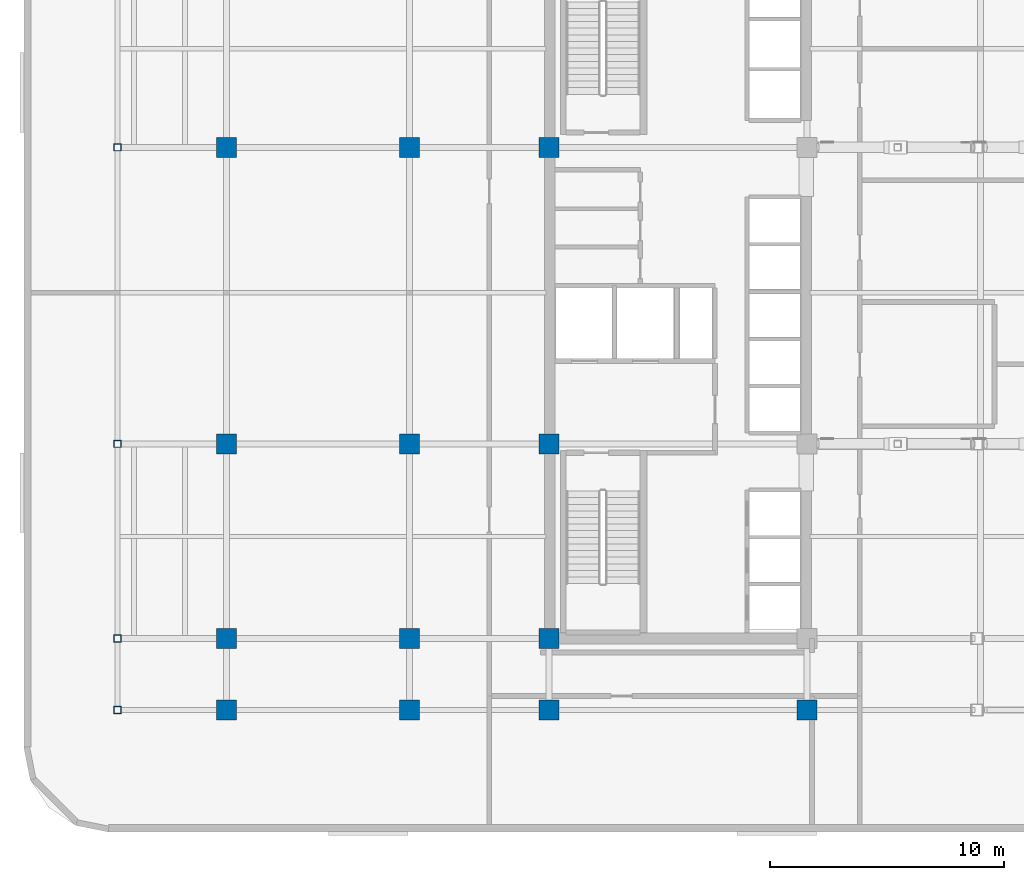
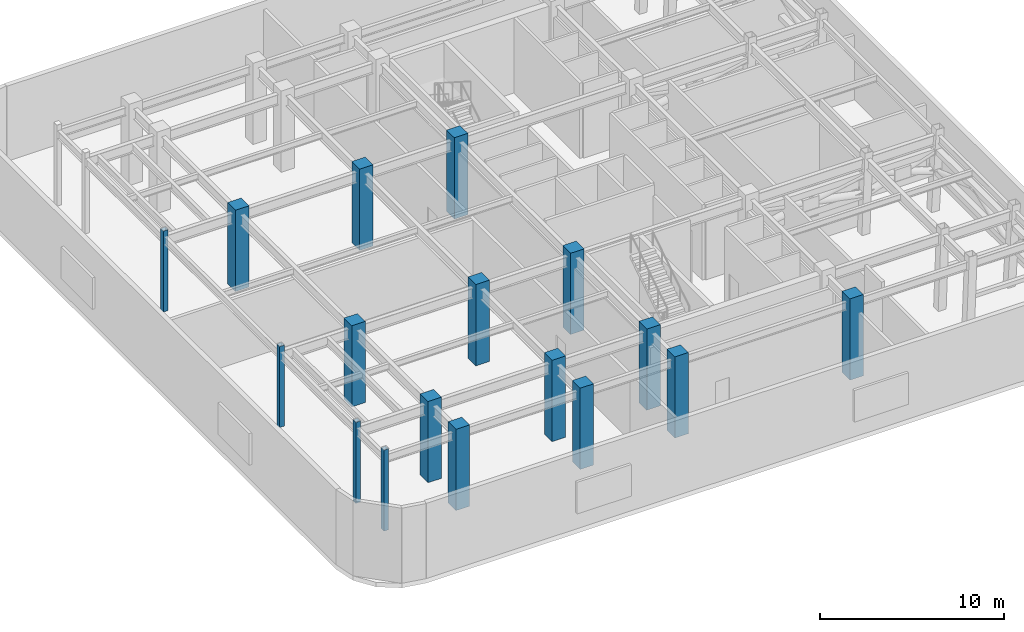
# One storey, part 1 of 14: 17 columns.
"""IFC4 building model written with IfcOpenShell, lengths in metres."""

from ifc_helpers import new_model, si_unit, direction, frame, origin, origin_2d, place, context, subcontext, project, spatial, rectangle, hollow_rectangle, extrude, material, material_profile, profile_set, type_object, element, save


model = new_model("IFC4")

# Units and contexts
model_context = context("Model", 3, precision=1e-05, world=origin(), true_north=direction((0.0, 1.0)))
body_context = subcontext(model_context, "Body", "Model", "MODEL_VIEW")
ifc_project = project(units=[si_unit("LENGTHUNIT", "METRE"), si_unit("AREAUNIT", "SQUARE_METRE"), si_unit("VOLUMEUNIT", "CUBIC_METRE"), si_unit("PLANEANGLEUNIT", "RADIAN"), si_unit("MASSUNIT", "GRAM", prefix="KILO")], contexts=[model_context])

# Site, building, storey
site_placement = place(None, origin())
site = spatial("IfcSite", under=ifc_project, at=site_placement, CompositionType="ELEMENT")
building_placement = place(site_placement, origin())
building = spatial("IfcBuilding", under=site, at=building_placement, Name="Ochreholt Gables", CompositionType="ELEMENT")
storey_placement = place(building_placement, frame((0.0, 0.0, 71.39990234375)))
storey = spatial("IfcBuildingStorey", under=building, at=storey_placement, Name="L18", CompositionType="ELEMENT", Elevation=71.39990234375)

# Columns
ifc_material_1 = material(Name="Steel CSA G40.21 350W", Category="steel")
ifc_material_profile_1 = material_profile(ifc_material_1, hollow_rectangle(XDim=0.304931640625, YDim=0.304931640625, WallThickness=0.0126953125, at=origin_2d()), Name="HSS305X305X13")
ifc_profile_set_1 = profile_set([ifc_material_profile_1], Name="Steel CSA G40.21 350W")
column_type_1 = type_object("IfcColumnType", Name="COL-HSS305-EXT", PredefinedType="COLUMN", material=ifc_profile_set_1)
for number, where, z_axis, x_axis, name in (
    (1, (5.800048828125, 6.199951171875, 0.0), (0.0, 0.0, 1.0), (1.0, 0.0, 0.0), "L18 Column WTY1"),
    (2, (5.800048828125, 9.25, 0.0), (0.0, 0.0, 1.0), (1.0, 0.0, 0.0), "L18 Column WTY2"),
    (3, (5.800048828125, 17.550048828125, 0.0), (0.0, 0.0, 1.0), (1.0, 0.0, 0.0), "L18 Column WTY3"),
    (4, (5.800048828125, 30.199951171875, 0.0), (0.0, 0.0, 1.0), (1.0, 0.0, 0.0), "L18 Column WTY4"),
):
    element("IfcColumn", number, at=place(storey_placement, frame(where, z_axis=z_axis, x_axis=x_axis)), inside=storey, type_object=column_type_1, Name=name, PredefinedType="COLUMN", context=body_context, shape_type="SweptSolid", body=[
        extrude(hollow_rectangle(XDim=0.304931640625, YDim=0.304931640625, WallThickness=0.0126953125, at=origin_2d()), origin(), (0.0, 0.0, 1.0), 5.375),
    ])
ifc_material_2 = material(Name="Concrete 60 MPa", Category="concrete")
ifc_material_profile_2 = material_profile(ifc_material_2, rectangle(XDim=0.85009765625, YDim=0.85009765625, at=origin_2d()), Name="RC850X850")
ifc_profile_set_2 = profile_set([ifc_material_profile_2], Name="Concrete 60 MPa")
column_type_2 = type_object("IfcColumnType", Name="COL-RC850-EXT", PredefinedType="COLUMN", material=ifc_profile_set_2)
for number, where, z_axis, x_axis, name in (
    (5, (10.449951171875, 6.199951171875, 0.0), (0.0, 0.0, 1.0), (1.0, 0.0, 0.0), "L18 Column W2Y1"),
    (6, (18.25, 6.199951171875, 0.0), (0.0, 0.0, 1.0), (1.0, 0.0, 0.0), "L18 Column W3Y1"),
    (7, (24.199951171875, 6.199951171875, 0.0), (0.0, 0.0, 1.0), (1.0, 0.0, 0.0), "L18 Column C1Y1"),
    (8, (35.199951171875, 6.199951171875, 0.0), (0.0, 0.0, 1.0), (1.0, 0.0, 0.0), "L18 Column C2Y1"),
):
    element("IfcColumn", number, at=place(storey_placement, frame(where, z_axis=z_axis, x_axis=x_axis)), inside=storey, type_object=column_type_2, Name=name, PredefinedType="COLUMN", context=body_context, shape_type="SweptSolid", body=[
        extrude(rectangle(XDim=0.85009765625, YDim=0.85009765625, at=origin_2d()), origin(), (0.0, 0.0, 1.0), 5.400146484375),
    ])
ifc_material_profile_3 = material_profile(ifc_material_2, rectangle(XDim=0.85009765625, YDim=0.85009765625, at=origin_2d()), Name="RC850X850")
ifc_profile_set_3 = profile_set([ifc_material_profile_3], Name="Concrete 60 MPa")
column_type_3 = type_object("IfcColumnType", Name="COL-RC850-INT", PredefinedType="COLUMN", material=ifc_profile_set_3)
for number, where, z_axis, x_axis, name in (
    (9, (10.449951171875, 9.25, 0.0), (0.0, 0.0, 1.0), (1.0, 0.0, 0.0), "L18 Column W2Y2"),
    (10, (10.449951171875, 17.550048828125, 0.0), (0.0, 0.0, 1.0), (1.0, 0.0, 0.0), "L18 Column W2Y3"),
    (11, (10.449951171875, 30.199951171875, 0.0), (0.0, 0.0, 1.0), (1.0, 0.0, 0.0), "L18 Column W2Y4"),
    (12, (18.25, 9.25, 0.0), (0.0, 0.0, 1.0), (1.0, 0.0, 0.0), "L18 Column W3Y2"),
    (13, (18.25, 17.550048828125, 0.0), (0.0, 0.0, 1.0), (1.0, 0.0, 0.0), "L18 Column W3Y3"),
    (14, (18.25, 30.199951171875, 0.0), (0.0, 0.0, 1.0), (1.0, 0.0, 0.0), "L18 Column W3Y4"),
    (15, (24.199951171875, 9.25, 0.0), (0.0, 0.0, 1.0), (1.0, 0.0, 0.0), "L18 Column C1Y2"),
    (16, (24.199951171875, 17.550048828125, 0.0), (0.0, 0.0, 1.0), (1.0, 0.0, 0.0), "L18 Column C1Y3"),
    (17, (24.199951171875, 30.199951171875, 0.0), (0.0, 0.0, 1.0), (1.0, 0.0, 0.0), "L18 Column C1Y4"),
):
    element("IfcColumn", number, at=place(storey_placement, frame(where, z_axis=z_axis, x_axis=x_axis)), inside=storey, type_object=column_type_3, Name=name, PredefinedType="COLUMN", context=body_context, shape_type="SweptSolid", body=[
        extrude(rectangle(XDim=0.85009765625, YDim=0.85009765625, at=origin_2d()), origin(), (0.0, 0.0, 1.0), 5.400146484375),
    ])

save(model, "model.ifc")
